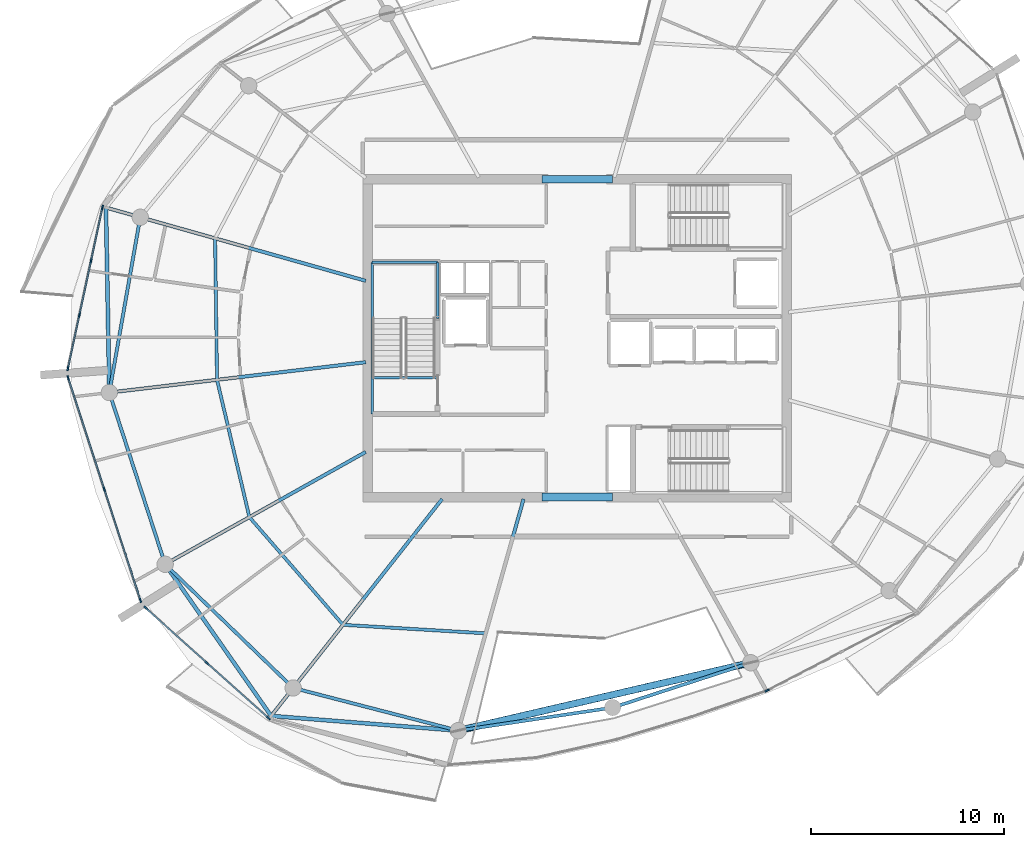
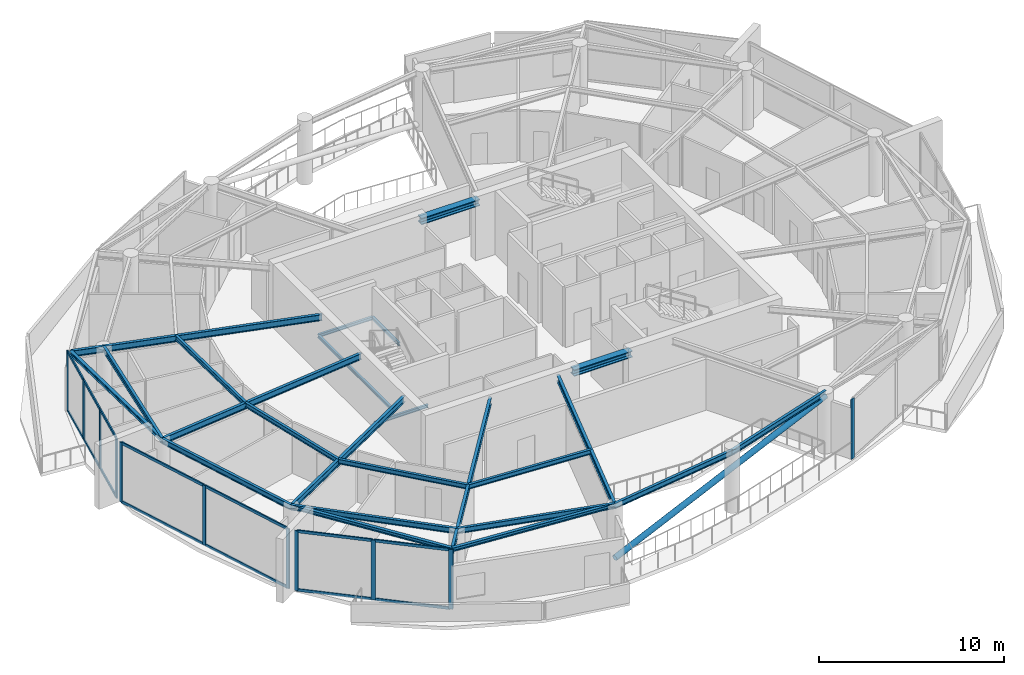
# One storey, part 5 of 22: 26 members, 24 beams, 4 elements without a shape of their own.
"""IFC4 building model written with IfcOpenShell, lengths in metres."""

from ifc_helpers import new_model, si_unit, direction, frame, origin, origin_2d, place, context, subcontext, project, spatial, rectangle, hollow_circle, i_section, extrude, material, layer, layer_set, material_profile, profile_set, type_object, element, aggregate, save


model = new_model("IFC4")

# Units and contexts
model_context = context("Model", 3, precision=1e-05, world=origin(), true_north=direction((0.0, 1.0)))
body_context = subcontext(model_context, "Body", "Model", "MODEL_VIEW")
ifc_project = project(units=[si_unit("LENGTHUNIT", "METRE"), si_unit("AREAUNIT", "SQUARE_METRE"), si_unit("VOLUMEUNIT", "CUBIC_METRE"), si_unit("PLANEANGLEUNIT", "RADIAN"), si_unit("MASSUNIT", "GRAM", prefix="KILO")], contexts=[model_context])

# Site, building, storey
site_placement = place(None, origin())
site = spatial("IfcSite", under=ifc_project, at=site_placement, CompositionType="ELEMENT")
building_placement = place(site_placement, origin())
building = spatial("IfcBuilding", under=site, at=building_placement, Name="Kazma Halo Residences", CompositionType="ELEMENT")
storey_placement = place(building_placement, frame((0.0, 0.0, 322.10009765625)))
storey = spatial("IfcBuildingStorey", under=building, at=storey_placement, Name="L81", CompositionType="ELEMENT", Elevation=322.10009765625)

# Beams
ifc_material_1 = material(Name="Steel S355", Category="steel")
ifc_material_profile_1 = material_profile(ifc_material_1, i_section(OverallWidth=0.201904296875, OverallDepth=0.2470703125, WebThickness=0.00732421875, FlangeThickness=0.010986328125, FilletRadius=0.011962890625, at=origin_2d()), Name="W250x49.1")
ifc_profile_set_1 = profile_set([ifc_material_profile_1], Name="Steel S355")
beam_type_1 = type_object("IfcBeamType", Name="BM-BAL-CANT", PredefinedType="BEAM", material=ifc_profile_set_1)
beam_1_placement = place(storey_placement, frame((23.9638671875, 48.77880859375, 3.81640625), z_axis=(0.018301708623, -0.999832509704, 0.0), x_axis=(0.999832509704, 0.018301708623, 0.0)))
element("IfcBeam", 1, at=beam_1_placement, inside=storey, type_object=beam_type_1, Name="L81 wave-balcony tie beam 07", PredefinedType="BEAM", context=body_context, shape_type="SweptSolid", body=[
    extrude(i_section(OverallWidth=0.201904296875, OverallDepth=0.2470703125, WebThickness=0.00732421875, FlangeThickness=0.010986328125, FilletRadius=0.011962890625, at=origin_2d()), origin(), (0.0, 0.0, 1.0), 9.604736328125),
])
beam_2_placement = place(storey_placement, frame((27.03662109375, 30.260009765625, 3.81640625), z_axis=(0.572873629847, -0.819643705659, 0.0), x_axis=(0.819643705659, 0.572873629847, 0.0)))
element("IfcBeam", 2, at=beam_2_placement, inside=storey, type_object=beam_type_1, Name="L81 wave-balcony lead tie beam 09", PredefinedType="BEAM", context=body_context, shape_type="SweptSolid", body=[
    extrude(i_section(OverallWidth=0.201904296875, OverallDepth=0.2470703125, WebThickness=0.00732421875, FlangeThickness=0.010986328125, FilletRadius=0.011962890625, at=origin_2d()), origin(), (0.0, 0.0, 1.0), 9.6044921875),
])
beam_3_placement = place(storey_placement, frame((32.538818359375, 22.3876953125, 3.81640625), z_axis=(0.996920506796, -0.078418767718, 0.0), x_axis=(0.078418767718, 0.996920506796, 0.0)))
element("IfcBeam", 3, at=beam_3_placement, inside=storey, type_object=beam_type_1, Name="L81 wave-balcony tie beam 10", PredefinedType="BEAM", context=body_context, shape_type="SweptSolid", body=[
    extrude(i_section(OverallWidth=0.201904296875, OverallDepth=0.2470703125, WebThickness=0.00732421875, FlangeThickness=0.010986328125, FilletRadius=0.011962890625, at=origin_2d()), origin(), (0.0, 0.0, 1.0), 9.74462890625),
])
ifc_material_profile_2 = material_profile(ifc_material_1, i_section(OverallWidth=0.408935546875, OverallDepth=0.425048828125, WebThickness=0.03271484375, FlangeThickness=0.052490234375, FilletRadius=0.02001953125, at=origin_2d()), Name="W360x421")
ifc_profile_set_2 = profile_set([ifc_material_profile_2], Name="Steel S355")
beam_type_2 = type_object("IfcBeamType", Name="BM-CORE-W360H", PredefinedType="BEAM", material=ifc_profile_set_2)
for number, where, z_axis, x_axis, name in (
    (4, (46.60009765625, 33.75, 3.727294921875), (1.0, 0.0, 0.0), (0.0, 1.0, 0.0), "L81 core coupling beam S"),
    (5, (46.60009765625, 50.25, 3.727294921875), (1.0, 0.0, 0.0), (0.0, 1.0, 0.0), "L81 core coupling beam N"),
):
    element("IfcBeam", number, at=place(storey_placement, frame(where, z_axis=z_axis, x_axis=x_axis)), inside=storey, type_object=beam_type_2, Name=name, PredefinedType="BEAM", context=body_context, shape_type="SweptSolid", body=[
        extrude(i_section(OverallWidth=0.408935546875, OverallDepth=0.425048828125, WebThickness=0.03271484375, FlangeThickness=0.052490234375, FilletRadius=0.02001953125, at=origin_2d()), origin(), (0.0, 0.0, 1.0), 3.64990234375),
    ])
ifc_material_profile_3 = material_profile(ifc_material_1, i_section(OverallWidth=0.177978515625, OverallDepth=0.406982421875, WebThickness=0.0078125, FlangeThickness=0.0126953125, FilletRadius=0.013916015625, at=origin_2d()), Name="W410x60")
ifc_profile_set_3 = profile_set([ifc_material_profile_3], Name="Steel S355")
beam_type_3 = type_object("IfcBeamType", Name="BM-RAD-W410", PredefinedType="BEAM", material=ifc_profile_set_3)
beam_4_placement = place(storey_placement, frame((37.449951171875, 44.975341796875, 3.736328125), z_axis=(-0.962455278458, 0.27144030093, 0.0), x_axis=(-0.27144030093, -0.962455278458, 0.0)))
element("IfcBeam", 6, at=beam_4_placement, inside=storey, type_object=beam_type_3, Name="L81 radial floor beam 07", PredefinedType="BEAM", context=body_context, shape_type="SweptSolid", body=[
    extrude(i_section(OverallWidth=0.177978515625, OverallDepth=0.406982421875, WebThickness=0.0078125, FlangeThickness=0.0126953125, FilletRadius=0.013916015625, at=origin_2d()), origin(), (0.0, 0.0, 1.0), 14.01220703125),
])
beam_5_placement = place(storey_placement, frame((37.449951171875, 40.751220703125, 3.736328125), z_axis=(-0.993067923032, -0.11754190846, 0.0), x_axis=(0.11754190846, -0.993067923032, 0.0)))
element("IfcBeam", 7, at=beam_5_placement, inside=storey, type_object=beam_type_3, Name="L81 radial floor beam 08", PredefinedType="BEAM", context=body_context, shape_type="SweptSolid", body=[
    extrude(i_section(OverallWidth=0.177978515625, OverallDepth=0.406982421875, WebThickness=0.0078125, FlangeThickness=0.0126953125, FilletRadius=0.013916015625, at=origin_2d()), origin(), (0.0, 0.0, 1.0), 13.4033203125),
])
beam_6_placement = place(storey_placement, frame((37.449951171875, 36.091796875, 3.736328125), z_axis=(-0.872494504737, -0.4886239241, 0.0), x_axis=(0.4886239241, -0.872494504737, 0.0)))
element("IfcBeam", 8, at=beam_6_placement, inside=storey, type_object=beam_type_3, Name="L81 radial floor beam 09", PredefinedType="BEAM", context=body_context, shape_type="SweptSolid", body=[
    extrude(i_section(OverallWidth=0.177978515625, OverallDepth=0.406982421875, WebThickness=0.0078125, FlangeThickness=0.0126953125, FilletRadius=0.013916015625, at=origin_2d()), origin(), (0.0, 0.0, 1.0), 11.93505859375),
])
beam_7_placement = place(storey_placement, frame((41.41748046875, 33.64990234375, 3.736328125), z_axis=(-0.61910487104, -0.78530832076, 0.0), x_axis=(0.78530832076, -0.61910487104, 0.0)))
element("IfcBeam", 9, at=beam_7_placement, inside=storey, type_object=beam_type_3, Name="L81 radial floor beam 10", PredefinedType="BEAM", context=body_context, shape_type="SweptSolid", body=[
    extrude(i_section(OverallWidth=0.177978515625, OverallDepth=0.406982421875, WebThickness=0.0078125, FlangeThickness=0.0126953125, FilletRadius=0.013916015625, at=origin_2d()), origin(), (0.0, 0.0, 1.0), 14.341064453125),
])
beam_8_placement = place(storey_placement, frame((45.64501953125, 33.64990234375, 3.736328125), z_axis=(-0.271426752139, -0.962459099507, 0.0), x_axis=(0.962459099507, -0.271426752139, 0.0)))
element("IfcBeam", 10, at=beam_8_placement, inside=storey, type_object=beam_type_3, Name="L81 radial floor beam 11", PredefinedType="BEAM", context=body_context, shape_type="SweptSolid", body=[
    extrude(i_section(OverallWidth=0.177978515625, OverallDepth=0.406982421875, WebThickness=0.0078125, FlangeThickness=0.0126953125, FilletRadius=0.013916015625, at=origin_2d()), origin(), (0.0, 0.0, 1.0), 12.495361328125),
])
ifc_material_profile_4 = material_profile(ifc_material_1, i_section(OverallWidth=0.1650390625, OverallDepth=0.31005859375, WebThickness=0.005859375, FlangeThickness=0.009765625, FilletRadius=0.011962890625, at=origin_2d()), Name="W310x38.7")
ifc_profile_set_4 = profile_set([ifc_material_profile_4], Name="Steel S355")
beam_type_4 = type_object("IfcBeamType", Name="BM-SEC-W310B", PredefinedType="JOIST", material=ifc_profile_set_4)
beam_9_placement = place(storey_placement, frame((29.628173828125, 47.181396484375, 3.784912109375), z_axis=(0.013861699983, -0.999903922021, 0.0), x_axis=(0.999903922021, 0.013861699983, 0.0)))
element("IfcBeam", 11, at=beam_9_placement, inside=storey, type_object=beam_type_4, Name="L81 circumferential floor joist 07", PredefinedType="JOIST", context=body_context, shape_type="SweptSolid", body=[
    extrude(i_section(OverallWidth=0.1650390625, OverallDepth=0.31005859375, WebThickness=0.005859375, FlangeThickness=0.009765625, FilletRadius=0.011962890625, at=origin_2d()), origin(), (0.0, 0.0, 1.0), 7.344482421875),
])
beam_10_placement = place(storey_placement, frame((29.72998046875, 39.837646484375, 3.784912109375), z_axis=(0.229446221817, -0.973321340203, 0.0), x_axis=(0.973321340203, 0.229446221817, 0.0)))
element("IfcBeam", 12, at=beam_10_placement, inside=storey, type_object=beam_type_4, Name="L81 circumferential floor joist 08", PredefinedType="JOIST", context=body_context, shape_type="SweptSolid", body=[
    extrude(i_section(OverallWidth=0.1650390625, OverallDepth=0.31005859375, WebThickness=0.005859375, FlangeThickness=0.009765625, FilletRadius=0.011962890625, at=origin_2d()), origin(), (0.0, 0.0, 1.0), 7.32373046875),
])
beam_11_placement = place(storey_placement, frame((31.410400390625, 32.709228515625, 3.784912109375), z_axis=(0.655826094878, -0.754912003664, 0.0), x_axis=(0.754912003664, 0.655826094878, 0.0)))
element("IfcBeam", 13, at=beam_11_placement, inside=storey, type_object=beam_type_4, Name="L81 circumferential floor joist 09", PredefinedType="JOIST", context=body_context, shape_type="SweptSolid", body=[
    extrude(i_section(OverallWidth=0.1650390625, OverallDepth=0.31005859375, WebThickness=0.005859375, FlangeThickness=0.009765625, FilletRadius=0.011962890625, at=origin_2d()), origin(), (0.0, 0.0, 1.0), 7.406494140625),
])
beam_12_placement = place(storey_placement, frame((36.267822265625, 27.117919921875, 3.784912109375), z_axis=(0.998216858477, -0.059691736892, 0.0), x_axis=(0.059691736892, 0.998216858477, 0.0)))
element("IfcBeam", 14, at=beam_12_placement, inside=storey, type_object=beam_type_4, Name="L81 circumferential floor joist 10", PredefinedType="JOIST", context=body_context, shape_type="SweptSolid", body=[
    extrude(i_section(OverallWidth=0.1650390625, OverallDepth=0.31005859375, WebThickness=0.005859375, FlangeThickness=0.009765625, FilletRadius=0.011962890625, at=origin_2d()), origin(), (0.0, 0.0, 1.0), 7.42333984375),
])
ifc_material_profile_5 = material_profile(ifc_material_1, i_section(OverallWidth=0.1708984375, OverallDepth=0.35498046875, WebThickness=0.007080078125, FlangeThickness=0.01171875, FilletRadius=0.013916015625, at=origin_2d()), Name="W360x51")
ifc_profile_set_5 = profile_set([ifc_material_profile_5], Name="Steel S355")
beam_type_5 = type_object("IfcBeamType", Name="BM-SPN-W360", PredefinedType="BEAM", material=ifc_profile_set_5)
beam_13_placement = place(storey_placement, frame((25.744384765625, 48.276611328125, 3.762451171875), z_axis=(-0.173649692956, -0.984807485825, 0.0), x_axis=(0.984807485825, -0.173649692956, 0.0)))
element("IfcBeam", 15, at=beam_13_placement, inside=storey, type_object=beam_type_5, Name="L81 perimeter ring beam 07", PredefinedType="BEAM", context=body_context, shape_type="SweptSolid", body=[
    extrude(i_section(OverallWidth=0.1708984375, OverallDepth=0.35498046875, WebThickness=0.007080078125, FlangeThickness=0.01171875, FilletRadius=0.013916015625, at=origin_2d()), origin(), (0.0, 0.0, 1.0), 9.2412109375),
])
beam_14_placement = place(storey_placement, frame((24.1396484375, 39.17578125, 3.762451171875), z_axis=(0.309023062674, -0.951054544564, 0.0), x_axis=(0.951054544564, 0.309023062674, 0.0)))
element("IfcBeam", 16, at=beam_14_placement, inside=storey, type_object=beam_type_5, Name="L81 perimeter ring beam 08", PredefinedType="BEAM", context=body_context, shape_type="SweptSolid", body=[
    extrude(i_section(OverallWidth=0.1708984375, OverallDepth=0.35498046875, WebThickness=0.007080078125, FlangeThickness=0.01171875, FilletRadius=0.013916015625, at=origin_2d()), origin(), (0.0, 0.0, 1.0), 9.37451171875),
])
beam_15_placement = place(storey_placement, frame((27.03662109375, 30.260009765625, 3.762451171875), z_axis=(0.71933681628, -0.694661460529, 0.0), x_axis=(0.694661460529, 0.71933681628, 0.0)))
element("IfcBeam", 17, at=beam_15_placement, inside=storey, type_object=beam_type_5, Name="L81 perimeter ring beam 09", PredefinedType="BEAM", context=body_context, shape_type="SweptSolid", body=[
    extrude(i_section(OverallWidth=0.1708984375, OverallDepth=0.35498046875, WebThickness=0.007080078125, FlangeThickness=0.01171875, FilletRadius=0.013916015625, at=origin_2d()), origin(), (0.0, 0.0, 1.0), 9.2412109375),
])
beam_16_placement = place(storey_placement, frame((33.68408203125, 23.840576171875, 3.762451171875), z_axis=(0.968124082793, -0.250471076805, 0.0), x_axis=(0.250471076805, 0.968124082793, 0.0)))
element("IfcBeam", 18, at=beam_16_placement, inside=storey, type_object=beam_type_5, Name="L81 perimeter ring beam 10", PredefinedType="BEAM", context=body_context, shape_type="SweptSolid", body=[
    extrude(i_section(OverallWidth=0.1708984375, OverallDepth=0.35498046875, WebThickness=0.007080078125, FlangeThickness=0.01171875, FilletRadius=0.013916015625, at=origin_2d()), origin(), (0.0, 0.0, 1.0), 8.8515625),
])
beam_17_placement = place(storey_placement, frame((42.25341796875, 21.62353515625, 3.762451171875), z_axis=(0.989030710595, 0.147710031817, 0.0), x_axis=(-0.147710031817, 0.989030710595, 0.0)))
element("IfcBeam", 19, at=beam_17_placement, inside=storey, type_object=beam_type_5, Name="L81 perimeter ring beam 11", PredefinedType="BEAM", context=body_context, shape_type="SweptSolid", body=[
    extrude(i_section(OverallWidth=0.1708984375, OverallDepth=0.35498046875, WebThickness=0.007080078125, FlangeThickness=0.01171875, FilletRadius=0.013916015625, at=origin_2d()), origin(), (0.0, 0.0, 1.0), 8.10546875),
])
beam_18_placement = place(storey_placement, frame((50.27001953125, 22.82080078125, 3.762451171875), z_axis=(0.951056684666, 0.309016476183, 0.0), x_axis=(-0.309016476183, 0.951056684666, 0.0)))
element("IfcBeam", 20, at=beam_18_placement, inside=storey, type_object=beam_type_5, Name="L81 perimeter ring beam 12", PredefinedType="BEAM", context=body_context, shape_type="SweptSolid", body=[
    extrude(i_section(OverallWidth=0.1708984375, OverallDepth=0.35498046875, WebThickness=0.007080078125, FlangeThickness=0.01171875, FilletRadius=0.013916015625, at=origin_2d()), origin(), (0.0, 0.0, 1.0), 7.53564453125),
])
ifc_material_profile_6 = material_profile(ifc_material_1, i_section(OverallWidth=0.133056640625, OverallDepth=0.20703125, WebThickness=0.005859375, FlangeThickness=0.00830078125, FilletRadius=0.010009765625, at=origin_2d()), Name="W200x26.6")
ifc_profile_set_6 = profile_set([ifc_material_profile_6], Name="Steel S355")
beam_type_6 = type_object("IfcBeamType", Name="BM-TRIM-W200", PredefinedType="BEAM", material=ifc_profile_set_6)
beam_19_placement = place(storey_placement, frame((37.800048828125, 39.949951171875, -0.3701171875), z_axis=(1.0, 0.0, 0.0), x_axis=(0.0, 1.0, 0.0)))
element("IfcBeam", 21, at=beam_19_placement, inside=storey, type_object=beam_type_6, Name="L81 ST-01 floor landing support beam", PredefinedType="BEAM", context=body_context, shape_type="SweptSolid", body=[
    extrude(i_section(OverallWidth=0.133056640625, OverallDepth=0.20703125, WebThickness=0.005859375, FlangeThickness=0.00830078125, FilletRadius=0.010009765625, at=origin_2d()), origin(), (0.0, 0.0, 1.0), 3.3798828125),
])
beam_20_placement = place(storey_placement, frame((37.780029296875, 38.06005859375, 1.794921875), z_axis=(0.0, 1.0, 0.0), x_axis=(-1.0, 0.0, 0.0)))
element("IfcBeam", 22, at=beam_20_placement, inside=storey, type_object=beam_type_6, Name="L81 ST-01 landing west wall ledger", PredefinedType="BEAM", context=body_context, shape_type="SweptSolid", body=[
    extrude(i_section(OverallWidth=0.133056640625, OverallDepth=0.20703125, WebThickness=0.005859375, FlangeThickness=0.00830078125, FilletRadius=0.010009765625, at=origin_2d()), origin(), (0.0, 0.0, 1.0), 7.8798828125),
])
beam_21_placement = place(storey_placement, frame((41.179931640625, 43.030029296875, 1.794921875), z_axis=(0.0, 1.0, 0.0), x_axis=(-1.0, 0.0, 0.0)))
element("IfcBeam", 23, at=beam_21_placement, inside=storey, type_object=beam_type_6, Name="L81 ST-01 landing east wall ledger", PredefinedType="BEAM", context=body_context, shape_type="SweptSolid", body=[
    extrude(i_section(OverallWidth=0.133056640625, OverallDepth=0.20703125, WebThickness=0.005859375, FlangeThickness=0.00830078125, FilletRadius=0.010009765625, at=origin_2d()), origin(), (0.0, 0.0, 1.0), 2.909912109375),
])
beam_22_placement = place(storey_placement, frame((37.780029296875, 45.93994140625, 1.794921875), z_axis=(1.0, 0.0, 0.0), x_axis=(0.0, 1.0, 0.0)))
element("IfcBeam", 24, at=beam_22_placement, inside=storey, type_object=beam_type_6, Name="L81 ST-01 landing end wall ledger", PredefinedType="BEAM", context=body_context, shape_type="SweptSolid", body=[
    extrude(i_section(OverallWidth=0.133056640625, OverallDepth=0.20703125, WebThickness=0.005859375, FlangeThickness=0.00830078125, FilletRadius=0.010009765625, at=origin_2d()), origin(), (0.0, 0.0, 1.0), 3.39990234375),
])

# Curtain wall, members
ifc_material_2 = material(Name="Aluminium AW-6063 T6 and Triple-Silver Low-E Glass", Category="aluminium")
ifc_layer = layer(ifc_material_2, 0.239990234375)
ifc_layer_set = layer_set([ifc_layer], Name="Aluminium AW-6063 T6 and Triple-Silver Low-E Glass")
curtain_wall_type = type_object("IfcCurtainWallType", Name="CW-SYS-6", PredefinedType="NOTDEFINED", material=ifc_layer_set)
curtain_wall_1_placement = place(storey_placement, origin())
curtain_wall_1 = element("IfcCurtainWall", 25, at=curtain_wall_1_placement, inside=storey, type_object=curtain_wall_type, Name="L81 unitised curtain wall B07", PredefinedType="NOTDEFINED")
ifc_material_3 = material(Name="Aluminium AW-6063 T6", Category="aluminium")
ifc_material_profile_7 = material_profile(ifc_material_3, rectangle(XDim=0.080078125, YDim=0.239990234375, at=origin_2d()), Name="CWM-80x240")
ifc_profile_set_7 = profile_set([ifc_material_profile_7], Name="Aluminium AW-6063 T6")
member_type_1 = type_object("IfcMemberType", Name="CW-SYS-6-MUL", PredefinedType="MULLION", material=ifc_profile_set_7)
member_1_placement = place(storey_placement, frame((23.7841796875, 48.7880859375, 0.0), z_axis=(0.0, 0.0, 1.0), x_axis=(0.977760865363, -0.209722888986, 0.0)))
member_1 = element("IfcMember", 26, at=member_1_placement, type_object=member_type_1, Name="CWS-6 mullion 1", PredefinedType="MULLION", context=body_context, shape_type="SweptSolid", body=[
    extrude(rectangle(XDim=0.080078125, YDim=0.239990234375, at=origin_2d()), origin(), (0.0, 0.0, 1.0), 3.93994140625),
])
member_2_placement = place(storey_placement, frame((23.18896484375, 46.013427734375, 0.0), z_axis=(0.0, 0.0, 1.0), x_axis=(0.977760865363, -0.209722888986, 0.0)))
member_2 = element("IfcMember", 27, at=member_2_placement, type_object=member_type_1, Name="CWS-6 mullion 2", PredefinedType="MULLION", context=body_context, shape_type="SweptSolid", body=[
    extrude(rectangle(XDim=0.080078125, YDim=0.239990234375, at=origin_2d()), origin(), (0.0, 0.0, 1.0), 3.93994140625),
])
member_3_placement = place(storey_placement, frame((22.58544921875, 43.19970703125, 0.0), z_axis=(0.0, 0.0, 1.0), x_axis=(0.977760865363, -0.209722888986, 0.0)))
member_3 = element("IfcMember", 28, at=member_3_placement, type_object=member_type_1, Name="CWS-6 mullion 3", PredefinedType="MULLION", context=body_context, shape_type="SweptSolid", body=[
    extrude(rectangle(XDim=0.080078125, YDim=0.239990234375, at=origin_2d()), origin(), (0.0, 0.0, 1.0), 3.93994140625),
])
member_4_placement = place(storey_placement, frame((21.990234375, 40.425048828125, 0.0), z_axis=(0.0, 0.0, 1.0), x_axis=(0.977760865363, -0.209722888986, 0.0)))
member_4 = element("IfcMember", 29, at=member_4_placement, type_object=member_type_1, Name="CWS-6 mullion 4", PredefinedType="MULLION", context=body_context, shape_type="SweptSolid", body=[
    extrude(rectangle(XDim=0.080078125, YDim=0.239990234375, at=origin_2d()), origin(), (0.0, 0.0, 1.0), 3.93994140625),
])

curtain_wall_2_placement = place(storey_placement, origin())
curtain_wall_2 = element("IfcCurtainWall", 30, at=curtain_wall_2_placement, inside=storey, type_object=curtain_wall_type, Name="L81 unitised curtain wall B08", PredefinedType="NOTDEFINED")
member_5_placement = place(storey_placement, frame((22.0009765625, 39.937744140625, 0.0), z_axis=(0.0, 0.0, 1.0), x_axis=(0.951055886462, 0.309018932797, 0.0)))
member_5 = element("IfcMember", 31, at=member_5_placement, type_object=member_type_1, Name="CWS-6 mullion 1", PredefinedType="MULLION", context=body_context, shape_type="SweptSolid", body=[
    extrude(rectangle(XDim=0.080078125, YDim=0.239990234375, at=origin_2d()), origin(), (0.0, 0.0, 1.0), 3.93994140625),
])
member_6_placement = place(storey_placement, frame((23.87744140625, 34.162109375, 0.0), z_axis=(0.0, 0.0, 1.0), x_axis=(0.951055886462, 0.309018932797, 0.0)))
member_6 = element("IfcMember", 32, at=member_6_placement, type_object=member_type_1, Name="CWS-6 mullion 2", PredefinedType="MULLION", context=body_context, shape_type="SweptSolid", body=[
    extrude(rectangle(XDim=0.080078125, YDim=0.239990234375, at=origin_2d()), origin(), (0.0, 0.0, 1.0), 3.93994140625),
])
member_7_placement = place(storey_placement, frame((25.754150390625, 28.38671875, 0.0), z_axis=(0.0, 0.0, 1.0), x_axis=(0.951055886462, 0.309018932797, 0.0)))
member_7 = element("IfcMember", 33, at=member_7_placement, type_object=member_type_1, Name="CWS-6 mullion 3", PredefinedType="MULLION", context=body_context, shape_type="SweptSolid", body=[
    extrude(rectangle(XDim=0.080078125, YDim=0.239990234375, at=origin_2d()), origin(), (0.0, 0.0, 1.0), 3.93994140625),
])

curtain_wall_3_placement = place(storey_placement, origin())
curtain_wall_3 = element("IfcCurtainWall", 34, at=curtain_wall_3_placement, inside=storey, type_object=curtain_wall_type, Name="L81 unitised curtain wall B09", PredefinedType="NOTDEFINED")
member_8_placement = place(storey_placement, frame((26.031982421875, 27.986083984375, 0.0), z_axis=(0.0, 0.0, 1.0), x_axis=(0.667757559118, 0.744378829791, 0.0)))
member_8 = element("IfcMember", 35, at=member_8_placement, type_object=member_type_1, Name="CWS-6 mullion 1", PredefinedType="MULLION", context=body_context, shape_type="SweptSolid", body=[
    extrude(rectangle(XDim=0.080078125, YDim=0.239990234375, at=origin_2d()), origin(), (0.0, 0.0, 1.0), 3.93994140625),
])
member_9_placement = place(storey_placement, frame((29.21533203125, 25.13037109375, 0.0), z_axis=(0.0, 0.0, 1.0), x_axis=(0.667757559118, 0.744378829791, 0.0)))
member_9 = element("IfcMember", 36, at=member_9_placement, type_object=member_type_1, Name="CWS-6 mullion 2", PredefinedType="MULLION", context=body_context, shape_type="SweptSolid", body=[
    extrude(rectangle(XDim=0.080078125, YDim=0.239990234375, at=origin_2d()), origin(), (0.0, 0.0, 1.0), 3.93994140625),
])
member_10_placement = place(storey_placement, frame((32.39892578125, 22.2744140625, 0.0), z_axis=(0.0, 0.0, 1.0), x_axis=(0.667757559118, 0.744378829791, 0.0)))
member_10 = element("IfcMember", 37, at=member_10_placement, type_object=member_type_1, Name="CWS-6 mullion 3", PredefinedType="MULLION", context=body_context, shape_type="SweptSolid", body=[
    extrude(rectangle(XDim=0.080078125, YDim=0.239990234375, at=origin_2d()), origin(), (0.0, 0.0, 1.0), 3.93994140625),
])

# Curtain wall, member
curtain_wall_4_placement = place(storey_placement, origin())
curtain_wall_4 = element("IfcCurtainWall", 38, at=curtain_wall_4_placement, inside=storey, type_object=curtain_wall_type, Name="L81 unitised curtain wall B13", PredefinedType="NOTDEFINED")
member_11_placement = place(storey_placement, frame((58.290283203125, 23.70703125, 0.0), z_axis=(0.0, 0.0, 1.0), x_axis=(-0.460796020861, 0.887506071618, 0.0)))
member_11 = element("IfcMember", 39, at=member_11_placement, type_object=member_type_1, Name="CWS-6 mullion 1", PredefinedType="MULLION", context=body_context, shape_type="SweptSolid", body=[
    extrude(rectangle(XDim=0.080078125, YDim=0.239990234375, at=origin_2d()), origin(), (0.0, 0.0, 1.0), 3.93994140625),
])
aggregate(curtain_wall_4, [member_11])

# Member
ifc_material_profile_8 = material_profile(ifc_material_3, rectangle(XDim=0.080078125, YDim=0.179931640625, at=origin_2d()), Name="CWT-80x180")
ifc_profile_set_8 = profile_set([ifc_material_profile_8], Name="Aluminium AW-6063 T6")
member_type_2 = type_object("IfcMemberType", Name="CW-SYS-6-TRN", PredefinedType="USERDEFINED", material=ifc_profile_set_8)
member_12_placement = place(storey_placement, frame((23.775634765625, 48.7490234375, 0.039794921875), z_axis=(-0.209716499477, -0.977762235846, 0.0), x_axis=(0.977762235846, -0.209716499477, 0.0)))
member_12 = element("IfcMember", 40, at=member_12_placement, type_object=member_type_2, Name="CWS-6 transom 1.1", ObjectType="TRANSOM", PredefinedType="USERDEFINED", context=body_context, shape_type="SweptSolid", body=[
    extrude(rectangle(XDim=0.080078125, YDim=0.179931640625, at=origin_2d()), origin(), (0.0, 0.0, 1.0), 2.7578125),
])

member_13_placement = place(storey_placement, frame((23.775634765625, 48.7490234375, 3.89990234375), z_axis=(-0.209716499477, -0.977762235846, 0.0), x_axis=(0.977762235846, -0.209716499477, 0.0)))
member_13 = element("IfcMember", 41, at=member_13_placement, type_object=member_type_2, Name="CWS-6 transom 1.2", ObjectType="TRANSOM", PredefinedType="USERDEFINED", context=body_context, shape_type="SweptSolid", body=[
    extrude(rectangle(XDim=0.080078125, YDim=0.179931640625, at=origin_2d()), origin(), (0.0, 0.0, 1.0), 2.7578125),
])

member_14_placement = place(storey_placement, frame((23.1806640625, 45.974365234375, 0.039794921875), z_axis=(-0.209773410621, -0.977750027459, 0.0), x_axis=(0.977750027459, -0.209773410621, 0.0)))
member_14 = element("IfcMember", 42, at=member_14_placement, type_object=member_type_2, Name="CWS-6 transom 2.1", ObjectType="TRANSOM", PredefinedType="USERDEFINED", context=body_context, shape_type="SweptSolid", body=[
    extrude(rectangle(XDim=0.080078125, YDim=0.179931640625, at=origin_2d()), origin(), (0.0, 0.0, 1.0), 2.7978515625),
])

member_15_placement = place(storey_placement, frame((23.1806640625, 45.974365234375, 3.89990234375), z_axis=(-0.209773410621, -0.977750027459, 0.0), x_axis=(0.977750027459, -0.209773410621, 0.0)))
member_15 = element("IfcMember", 43, at=member_15_placement, type_object=member_type_2, Name="CWS-6 transom 2.2", ObjectType="TRANSOM", PredefinedType="USERDEFINED", context=body_context, shape_type="SweptSolid", body=[
    extrude(rectangle(XDim=0.080078125, YDim=0.179931640625, at=origin_2d()), origin(), (0.0, 0.0, 1.0), 2.7978515625),
])

member_16_placement = place(storey_placement, frame((22.5771484375, 43.16064453125, 0.039794921875), z_axis=(-0.209716499477, -0.977762235846, 0.0), x_axis=(0.977762235846, -0.209716499477, 0.0)))
member_16 = element("IfcMember", 44, at=member_16_placement, type_object=member_type_2, Name="CWS-6 transom 3.1", ObjectType="TRANSOM", PredefinedType="USERDEFINED", context=body_context, shape_type="SweptSolid", body=[
    extrude(rectangle(XDim=0.080078125, YDim=0.179931640625, at=origin_2d()), origin(), (0.0, 0.0, 1.0), 2.7578125),
])

member_17_placement = place(storey_placement, frame((22.5771484375, 43.16064453125, 3.89990234375), z_axis=(-0.209716499477, -0.977762235846, 0.0), x_axis=(0.977762235846, -0.209716499477, 0.0)))
member_17 = element("IfcMember", 45, at=member_17_placement, type_object=member_type_2, Name="CWS-6 transom 3.2", ObjectType="TRANSOM", PredefinedType="USERDEFINED", context=body_context, shape_type="SweptSolid", body=[
    extrude(rectangle(XDim=0.080078125, YDim=0.179931640625, at=origin_2d()), origin(), (0.0, 0.0, 1.0), 2.7578125),
])

aggregate(curtain_wall_1, [member_1, member_2, member_3, member_4, member_12, member_13, member_14, member_15, member_16, member_17])

member_18_placement = place(storey_placement, frame((22.013427734375, 39.899658203125, 0.039794921875), z_axis=(0.309007770724, -0.951059513191, 0.0), x_axis=(0.951059513191, 0.309007770724, 0.0)))
member_18 = element("IfcMember", 46, at=member_18_placement, type_object=member_type_2, Name="CWS-6 transom 1.1", ObjectType="TRANSOM", PredefinedType="USERDEFINED", context=body_context, shape_type="SweptSolid", body=[
    extrude(rectangle(XDim=0.080078125, YDim=0.179931640625, at=origin_2d()), origin(), (0.0, 0.0, 1.0), 5.99267578125),
])

member_19_placement = place(storey_placement, frame((22.013427734375, 39.899658203125, 3.89990234375), z_axis=(0.309007770724, -0.951059513191, 0.0), x_axis=(0.951059513191, 0.309007770724, 0.0)))
member_19 = element("IfcMember", 47, at=member_19_placement, type_object=member_type_2, Name="CWS-6 transom 1.2", ObjectType="TRANSOM", PredefinedType="USERDEFINED", context=body_context, shape_type="SweptSolid", body=[
    extrude(rectangle(XDim=0.080078125, YDim=0.179931640625, at=origin_2d()), origin(), (0.0, 0.0, 1.0), 5.99267578125),
])

member_20_placement = place(storey_placement, frame((23.889892578125, 34.1240234375, 0.039794921875), z_axis=(0.309019743831, -0.951055622938, 0.0), x_axis=(0.951055622938, 0.309019743831, 0.0)))
member_20 = element("IfcMember", 48, at=member_20_placement, type_object=member_type_2, Name="CWS-6 transom 2.1", ObjectType="TRANSOM", PredefinedType="USERDEFINED", context=body_context, shape_type="SweptSolid", body=[
    extrude(rectangle(XDim=0.080078125, YDim=0.179931640625, at=origin_2d()), origin(), (0.0, 0.0, 1.0), 5.992431640625),
])

member_21_placement = place(storey_placement, frame((23.889892578125, 34.1240234375, 3.89990234375), z_axis=(0.309019743831, -0.951055622938, 0.0), x_axis=(0.951055622938, 0.309019743831, 0.0)))
member_21 = element("IfcMember", 49, at=member_21_placement, type_object=member_type_2, Name="CWS-6 transom 2.2", ObjectType="TRANSOM", PredefinedType="USERDEFINED", context=body_context, shape_type="SweptSolid", body=[
    extrude(rectangle(XDim=0.080078125, YDim=0.179931640625, at=origin_2d()), origin(), (0.0, 0.0, 1.0), 5.992431640625),
])

aggregate(curtain_wall_2, [member_5, member_6, member_7, member_18, member_19, member_20, member_21])

member_22_placement = place(storey_placement, frame((26.061767578125, 27.95947265625, 0.039794921875), z_axis=(0.744349048391, -0.66779075627, 0.0), x_axis=(0.66779075627, 0.744349048391, 0.0)))
member_22 = element("IfcMember", 50, at=member_22_placement, type_object=member_type_2, Name="CWS-6 transom 1.1", ObjectType="TRANSOM", PredefinedType="USERDEFINED", context=body_context, shape_type="SweptSolid", body=[
    extrude(rectangle(XDim=0.080078125, YDim=0.179931640625, at=origin_2d()), origin(), (0.0, 0.0, 1.0), 4.19677734375),
])

member_23_placement = place(storey_placement, frame((26.061767578125, 27.95947265625, 3.89990234375), z_axis=(0.744349048391, -0.66779075627, 0.0), x_axis=(0.66779075627, 0.744349048391, 0.0)))
member_23 = element("IfcMember", 51, at=member_23_placement, type_object=member_type_2, Name="CWS-6 transom 1.2", ObjectType="TRANSOM", PredefinedType="USERDEFINED", context=body_context, shape_type="SweptSolid", body=[
    extrude(rectangle(XDim=0.080078125, YDim=0.179931640625, at=origin_2d()), origin(), (0.0, 0.0, 1.0), 4.19677734375),
])

member_24_placement = place(storey_placement, frame((29.2451171875, 25.103515625, 0.039794921875), z_axis=(0.744403905463, -0.667729605103, 0.0), x_axis=(0.667729605103, 0.744403905463, 0.0)))
member_24 = element("IfcMember", 52, at=member_24_placement, type_object=member_type_2, Name="CWS-6 transom 2.1", ObjectType="TRANSOM", PredefinedType="USERDEFINED", context=body_context, shape_type="SweptSolid", body=[
    extrude(rectangle(XDim=0.080078125, YDim=0.179931640625, at=origin_2d()), origin(), (0.0, 0.0, 1.0), 4.19677734375),
])

member_25_placement = place(storey_placement, frame((29.2451171875, 25.103515625, 3.89990234375), z_axis=(0.744403905463, -0.667729605103, 0.0), x_axis=(0.667729605103, 0.744403905463, 0.0)))
member_25 = element("IfcMember", 53, at=member_25_placement, type_object=member_type_2, Name="CWS-6 transom 2.2", ObjectType="TRANSOM", PredefinedType="USERDEFINED", context=body_context, shape_type="SweptSolid", body=[
    extrude(rectangle(XDim=0.080078125, YDim=0.179931640625, at=origin_2d()), origin(), (0.0, 0.0, 1.0), 4.19677734375),
])

aggregate(curtain_wall_3, [member_8, member_9, member_10, member_22, member_23, member_24, member_25])

ifc_material_profile_9 = material_profile(ifc_material_1, hollow_circle(Radius=0.177734375, WallThickness=0.012451171875, at=origin_2d()), Name="CHS355.6x12.5")
ifc_profile_set_9 = profile_set([ifc_material_profile_9], Name="Steel S355")
member_type_3 = type_object("IfcMemberType", Name="MBR-PORT-CHS355", PredefinedType="BRACE", material=ifc_profile_set_9)
member_26_placement = place(storey_placement, frame((42.25341796875, 21.62353515625, 0.2998046875), z_axis=(0.953451168397, 0.221410522005, 0.204715046415), x_axis=(-0.226201096399, 0.974080624994, 0.0)))
element("IfcMember", 54, at=member_26_placement, inside=storey, type_object=member_type_3, Name="L81 upper wind-portal brace SSE", PredefinedType="BRACE", context=body_context, shape_type="SweptSolid", body=[
    extrude(hollow_circle(Radius=0.177734375, WallThickness=0.012451171875, at=origin_2d()), origin(), (0.0, 0.0, 1.0), 15.924560546875),
])

save(model, "model.ifc")
